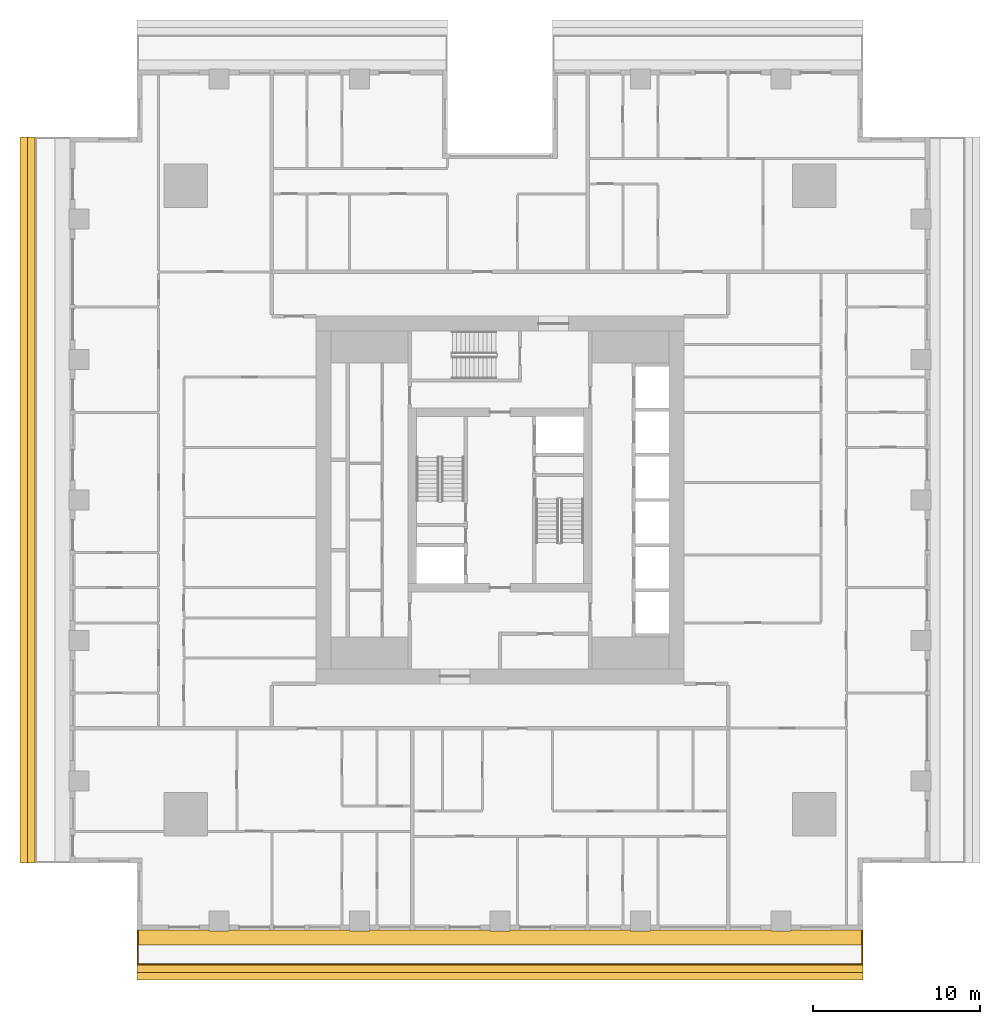
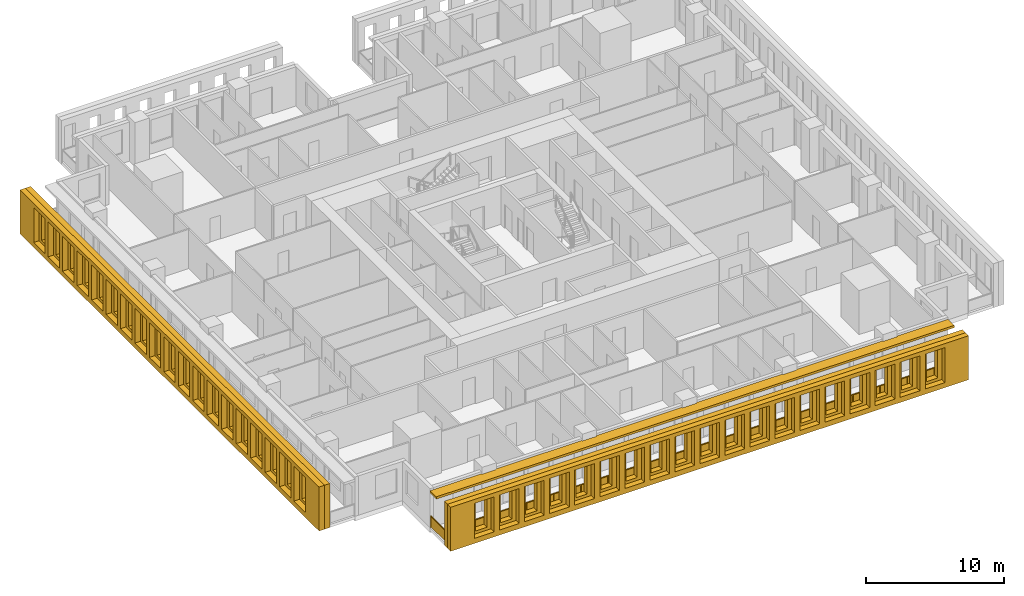
# One storey, part 11 of 16: 5 shading devices, 1 railing.
"""IFC4 building model written with IfcOpenShell, lengths in metres."""

from ifc_helpers import new_model, si_unit, direction, frame, origin, origin_2d, place, context, subcontext, project, spatial, polyline, rectangle, outline, extrude, material, layer, layer_set, type_object, element, save


model = new_model("IFC4")

# Units and contexts
model_context = context("Model", 3, precision=1e-05, world=origin(), true_north=direction((0.0, 1.0)))
body_context = subcontext(model_context, "Body", "Model", "MODEL_VIEW")
ifc_project = project(units=[si_unit("LENGTHUNIT", "METRE"), si_unit("AREAUNIT", "SQUARE_METRE"), si_unit("VOLUMEUNIT", "CUBIC_METRE"), si_unit("PLANEANGLEUNIT", "RADIAN"), si_unit("MASSUNIT", "GRAM", prefix="KILO")], contexts=[model_context])

# Site, building, storey
site_placement = place(None, origin())
site = spatial("IfcSite", under=ifc_project, at=site_placement, CompositionType="ELEMENT")
building_placement = place(site_placement, origin())
building = spatial("IfcBuilding", under=site, at=building_placement, Name="Khepri Terraces", CompositionType="ELEMENT")
storey_placement = place(building_placement, frame((0.0, 0.0, 137.699951171875)))
storey = spatial("IfcBuildingStorey", under=building, at=storey_placement, Name="L32", CompositionType="ELEMENT", Elevation=137.699951171875)

# Railing
ifc_material_1 = material(Name="Stainless steel grade 316", Category="steel")
railing_type = type_object("IfcRailingType", Name="GRD-BAL-1100", PredefinedType="GUARDRAIL", material=ifc_material_1)
railing_placement = place(storey_placement, frame((-21.669921875, -25.719970703125, 0.0)))
element("IfcRailing", 1, at=railing_placement, inside=storey, type_object=railing_type, Name="Balcony guard L32 S", PredefinedType="GUARDRAIL", context=body_context, shape_type="SweptSolid", body=[
    extrude(rectangle(XDim=0.050048828125, YDim=0.06005859375, at=origin_2d()), frame((0.0, 0.0, 1.070068359375), z_axis=(0.0, -1.0, 0.0), x_axis=(1.0, 0.0, 0.0)), (0.0, 0.0, 1.0), 2.050048828125),
    extrude(rectangle(XDim=2.0, YDim=0.011962890625, at=origin_2d()), frame((0.0, -1.02490234375, 0.10009765625), z_axis=(0.0, 0.0, 1.0), x_axis=(0.0, -1.0, 0.0)), (0.0, 0.0, 1.0), 0.93994140625),
    extrude(rectangle(XDim=0.050048828125, YDim=0.06005859375, at=origin_2d()), frame((0.0, -2.050048828125, 1.070068359375), z_axis=(1.0, 0.0, 0.0), x_axis=(0.0, 1.0, 0.0)), (0.0, 0.0, 1.0), 43.33984375),
    extrude(rectangle(XDim=2.23095703125, YDim=0.011962890625, at=origin_2d()), frame((1.140625, -2.050048828125, 0.10009765625), z_axis=(0.0, 0.0, 1.0), x_axis=(1.0, 0.0, 0.0)), (0.0, 0.0, 1.0), 0.93994140625),
    extrude(rectangle(XDim=2.23095703125, YDim=0.011962890625, at=origin_2d()), frame((3.421630859375, -2.050048828125, 0.10009765625), z_axis=(0.0, 0.0, 1.0), x_axis=(1.0, 0.0, 0.0)), (0.0, 0.0, 1.0), 0.93994140625),
    extrude(rectangle(XDim=2.23095703125, YDim=0.011962890625, at=origin_2d()), frame((5.70263671875, -2.050048828125, 0.10009765625), z_axis=(0.0, 0.0, 1.0), x_axis=(1.0, 0.0, 0.0)), (0.0, 0.0, 1.0), 0.93994140625),
    extrude(rectangle(XDim=2.23095703125, YDim=0.011962890625, at=origin_2d()), frame((7.983642578125, -2.050048828125, 0.10009765625), z_axis=(0.0, 0.0, 1.0), x_axis=(1.0, 0.0, 0.0)), (0.0, 0.0, 1.0), 0.93994140625),
    extrude(rectangle(XDim=2.23095703125, YDim=0.011962890625, at=origin_2d()), frame((10.2646484375, -2.050048828125, 0.10009765625), z_axis=(0.0, 0.0, 1.0), x_axis=(1.0, 0.0, 0.0)), (0.0, 0.0, 1.0), 0.93994140625),
    extrude(rectangle(XDim=2.23095703125, YDim=0.011962890625, at=origin_2d()), frame((12.545654296875, -2.050048828125, 0.10009765625), z_axis=(0.0, 0.0, 1.0), x_axis=(1.0, 0.0, 0.0)), (0.0, 0.0, 1.0), 0.93994140625),
    extrude(rectangle(XDim=2.23095703125, YDim=0.011962890625, at=origin_2d()), frame((14.826904296875, -2.050048828125, 0.10009765625), z_axis=(0.0, 0.0, 1.0), x_axis=(1.0, 0.0, 0.0)), (0.0, 0.0, 1.0), 0.93994140625),
    extrude(rectangle(XDim=2.23095703125, YDim=0.011962890625, at=origin_2d()), frame((17.10791015625, -2.050048828125, 0.10009765625), z_axis=(0.0, 0.0, 1.0), x_axis=(1.0, 0.0, 0.0)), (0.0, 0.0, 1.0), 0.93994140625),
    extrude(rectangle(XDim=2.23095703125, YDim=0.011962890625, at=origin_2d()), frame((19.388916015625, -2.050048828125, 0.10009765625), z_axis=(0.0, 0.0, 1.0), x_axis=(1.0, 0.0, 0.0)), (0.0, 0.0, 1.0), 0.93994140625),
    extrude(rectangle(XDim=2.23095703125, YDim=0.011962890625, at=origin_2d()), frame((21.669921875, -2.050048828125, 0.10009765625), z_axis=(0.0, 0.0, 1.0), x_axis=(1.0, 0.0, 0.0)), (0.0, 0.0, 1.0), 0.93994140625),
    extrude(rectangle(XDim=2.23095703125, YDim=0.011962890625, at=origin_2d()), frame((23.950927734375, -2.050048828125, 0.10009765625), z_axis=(0.0, 0.0, 1.0), x_axis=(1.0, 0.0, 0.0)), (0.0, 0.0, 1.0), 0.93994140625),
    extrude(rectangle(XDim=2.23095703125, YDim=0.011962890625, at=origin_2d()), frame((26.23193359375, -2.050048828125, 0.10009765625), z_axis=(0.0, 0.0, 1.0), x_axis=(1.0, 0.0, 0.0)), (0.0, 0.0, 1.0), 0.93994140625),
    extrude(rectangle(XDim=2.23095703125, YDim=0.011962890625, at=origin_2d()), frame((28.512939453125, -2.050048828125, 0.10009765625), z_axis=(0.0, 0.0, 1.0), x_axis=(1.0, 0.0, 0.0)), (0.0, 0.0, 1.0), 0.93994140625),
    extrude(rectangle(XDim=2.23095703125, YDim=0.011962890625, at=origin_2d()), frame((30.794189453125, -2.050048828125, 0.10009765625), z_axis=(0.0, 0.0, 1.0), x_axis=(1.0, 0.0, 0.0)), (0.0, 0.0, 1.0), 0.93994140625),
    extrude(rectangle(XDim=2.23095703125, YDim=0.011962890625, at=origin_2d()), frame((33.0751953125, -2.050048828125, 0.10009765625), z_axis=(0.0, 0.0, 1.0), x_axis=(1.0, 0.0, 0.0)), (0.0, 0.0, 1.0), 0.93994140625),
    extrude(rectangle(XDim=2.23095703125, YDim=0.011962890625, at=origin_2d()), frame((35.356201171875, -2.050048828125, 0.10009765625), z_axis=(0.0, 0.0, 1.0), x_axis=(1.0, 0.0, 0.0)), (0.0, 0.0, 1.0), 0.93994140625),
    extrude(rectangle(XDim=2.23095703125, YDim=0.011962890625, at=origin_2d()), frame((37.63720703125, -2.050048828125, 0.10009765625), z_axis=(0.0, 0.0, 1.0), x_axis=(1.0, 0.0, 0.0)), (0.0, 0.0, 1.0), 0.93994140625),
    extrude(rectangle(XDim=2.23095703125, YDim=0.011962890625, at=origin_2d()), frame((39.918212890625, -2.050048828125, 0.10009765625), z_axis=(0.0, 0.0, 1.0), x_axis=(1.0, 0.0, 0.0)), (0.0, 0.0, 1.0), 0.93994140625),
    extrude(rectangle(XDim=2.23095703125, YDim=0.011962890625, at=origin_2d()), frame((42.19921875, -2.050048828125, 0.10009765625), z_axis=(0.0, 0.0, 1.0), x_axis=(1.0, 0.0, 0.0)), (0.0, 0.0, 1.0), 0.93994140625),
    extrude(rectangle(XDim=0.050048828125, YDim=0.06005859375, at=origin_2d()), frame((43.33984375, -2.050048828125, 1.070068359375), z_axis=(0.0, 1.0, 0.0), x_axis=(-1.0, 0.0, 0.0)), (0.0, 0.0, 1.0), 2.050048828125),
    extrude(rectangle(XDim=2.0, YDim=0.011962890625, at=origin_2d()), frame((43.33984375, -1.02490234375, 0.10009765625), z_axis=(0.0, 0.0, 1.0), x_axis=(0.0, 1.0, 0.0)), (0.0, 0.0, 1.0), 0.93994140625),
    extrude(rectangle(XDim=0.050048828125, YDim=0.050048828125, at=origin_2d()), origin(), (0.0, 0.0, 1.0), 1.0400390625),
    extrude(rectangle(XDim=0.050048828125, YDim=0.050048828125, at=origin_2d()), frame((0.0, -2.050048828125, 0.0)), (0.0, 0.0, 1.0), 1.0400390625),
    extrude(rectangle(XDim=0.050048828125, YDim=0.050048828125, at=origin_2d()), frame((2.281005859375, -2.050048828125, 0.0)), (0.0, 0.0, 1.0), 1.0400390625),
    extrude(rectangle(XDim=0.050048828125, YDim=0.050048828125, at=origin_2d()), frame((4.56201171875, -2.050048828125, 0.0)), (0.0, 0.0, 1.0), 1.0400390625),
    extrude(rectangle(XDim=0.050048828125, YDim=0.050048828125, at=origin_2d()), frame((6.843017578125, -2.050048828125, 0.0)), (0.0, 0.0, 1.0), 1.0400390625),
    extrude(rectangle(XDim=0.050048828125, YDim=0.050048828125, at=origin_2d()), frame((9.124267578125, -2.050048828125, 0.0)), (0.0, 0.0, 1.0), 1.0400390625),
    extrude(rectangle(XDim=0.050048828125, YDim=0.050048828125, at=origin_2d()), frame((11.4052734375, -2.050048828125, 0.0)), (0.0, 0.0, 1.0), 1.0400390625),
    extrude(rectangle(XDim=0.050048828125, YDim=0.050048828125, at=origin_2d()), frame((13.686279296875, -2.050048828125, 0.0)), (0.0, 0.0, 1.0), 1.0400390625),
    extrude(rectangle(XDim=0.050048828125, YDim=0.050048828125, at=origin_2d()), frame((15.96728515625, -2.050048828125, 0.0)), (0.0, 0.0, 1.0), 1.0400390625),
    extrude(rectangle(XDim=0.050048828125, YDim=0.050048828125, at=origin_2d()), frame((18.248291015625, -2.050048828125, 0.0)), (0.0, 0.0, 1.0), 1.0400390625),
    extrude(rectangle(XDim=0.050048828125, YDim=0.050048828125, at=origin_2d()), frame((20.529296875, -2.050048828125, 0.0)), (0.0, 0.0, 1.0), 1.0400390625),
    extrude(rectangle(XDim=0.050048828125, YDim=0.050048828125, at=origin_2d()), frame((22.810546875, -2.050048828125, 0.0)), (0.0, 0.0, 1.0), 1.0400390625),
    extrude(rectangle(XDim=0.050048828125, YDim=0.050048828125, at=origin_2d()), frame((25.091552734375, -2.050048828125, 0.0)), (0.0, 0.0, 1.0), 1.0400390625),
    extrude(rectangle(XDim=0.050048828125, YDim=0.050048828125, at=origin_2d()), frame((27.37255859375, -2.050048828125, 0.0)), (0.0, 0.0, 1.0), 1.0400390625),
    extrude(rectangle(XDim=0.050048828125, YDim=0.050048828125, at=origin_2d()), frame((29.653564453125, -2.050048828125, 0.0)), (0.0, 0.0, 1.0), 1.0400390625),
    extrude(rectangle(XDim=0.050048828125, YDim=0.050048828125, at=origin_2d()), frame((31.9345703125, -2.050048828125, 0.0)), (0.0, 0.0, 1.0), 1.0400390625),
    extrude(rectangle(XDim=0.050048828125, YDim=0.050048828125, at=origin_2d()), frame((34.215576171875, -2.050048828125, 0.0)), (0.0, 0.0, 1.0), 1.0400390625),
    extrude(rectangle(XDim=0.050048828125, YDim=0.050048828125, at=origin_2d()), frame((36.496826171875, -2.050048828125, 0.0)), (0.0, 0.0, 1.0), 1.0400390625),
    extrude(rectangle(XDim=0.050048828125, YDim=0.050048828125, at=origin_2d()), frame((38.77783203125, -2.050048828125, 0.0)), (0.0, 0.0, 1.0), 1.0400390625),
    extrude(rectangle(XDim=0.050048828125, YDim=0.050048828125, at=origin_2d()), frame((41.058837890625, -2.050048828125, 0.0)), (0.0, 0.0, 1.0), 1.0400390625),
    extrude(rectangle(XDim=0.050048828125, YDim=0.050048828125, at=origin_2d()), frame((43.33984375, -2.050048828125, 0.0)), (0.0, 0.0, 1.0), 1.0400390625),
    extrude(rectangle(XDim=0.050048828125, YDim=0.050048828125, at=origin_2d()), frame((43.33984375, 0.0, 0.0)), (0.0, 0.0, 1.0), 1.0400390625),
])

# Shading devices
ifc_material_2 = material(Name="Precast concrete C50/60 warm stone", Category="masonry")
shading_device_type_1 = type_object("IfcShadingDeviceType", Name="SCR-CELL-INNER-450", PredefinedType="USERDEFINED", material=ifc_material_2)
shading_device_1_placement = place(storey_placement, frame((-21.719970703125, -27.820068359375, -0.25), z_axis=(0.0, -1.0, 0.0), x_axis=(1.0, 0.0, 0.0)))
element("IfcShadingDevice", 2, at=shading_device_1_placement, inside=storey, type_object=shading_device_type_1, Name="Cell screen L32 S in", ObjectType="SCREEN", PredefinedType="USERDEFINED", context=body_context, shape_type="SweptSolid", body=[
    extrude(outline(polyline([(0.0, 0.0), (43.43994140625, 0.0), (43.43994140625, 3.89990234375), (0.0, 3.89990234375), (0.0, 0.0)]), holes=[polyline([(0.24755859375, 0.699951171875), (1.1923828125, 0.699951171875), (1.1923828125, 3.300048828125), (0.24755859375, 3.300048828125), (0.24755859375, 0.699951171875)]), polyline([(2.347412109375, 0.699951171875), (3.29248046875, 0.699951171875), (3.29248046875, 3.300048828125), (2.347412109375, 3.300048828125), (2.347412109375, 0.699951171875)]), polyline([(4.447509765625, 0.699951171875), (5.392578125, 0.699951171875), (5.392578125, 3.300048828125), (4.447509765625, 3.300048828125), (4.447509765625, 0.699951171875)]), polyline([(6.547607421875, 0.699951171875), (7.492431640625, 0.699951171875), (7.492431640625, 3.300048828125), (6.547607421875, 3.300048828125), (6.547607421875, 0.699951171875)]), polyline([(8.6474609375, 0.699951171875), (9.592529296875, 0.699951171875), (9.592529296875, 3.300048828125), (8.6474609375, 3.300048828125), (8.6474609375, 0.699951171875)]), polyline([(10.74755859375, 0.699951171875), (11.6923828125, 0.699951171875), (11.6923828125, 3.300048828125), (10.74755859375, 3.300048828125), (10.74755859375, 0.699951171875)]), polyline([(12.847412109375, 0.699951171875), (13.79248046875, 0.699951171875), (13.79248046875, 3.300048828125), (12.847412109375, 3.300048828125), (12.847412109375, 0.699951171875)]), polyline([(14.947509765625, 0.699951171875), (15.892578125, 0.699951171875), (15.892578125, 3.300048828125), (14.947509765625, 3.300048828125), (14.947509765625, 0.699951171875)]), polyline([(17.047607421875, 0.699951171875), (17.992431640625, 0.699951171875), (17.992431640625, 3.300048828125), (17.047607421875, 3.300048828125), (17.047607421875, 0.699951171875)]), polyline([(19.1474609375, 0.699951171875), (20.092529296875, 0.699951171875), (20.092529296875, 3.300048828125), (19.1474609375, 3.300048828125), (19.1474609375, 0.699951171875)]), polyline([(21.24755859375, 0.699951171875), (22.1923828125, 0.699951171875), (22.1923828125, 3.300048828125), (21.24755859375, 3.300048828125), (21.24755859375, 0.699951171875)]), polyline([(23.347412109375, 0.699951171875), (24.29248046875, 0.699951171875), (24.29248046875, 3.300048828125), (23.347412109375, 3.300048828125), (23.347412109375, 0.699951171875)]), polyline([(25.447509765625, 0.699951171875), (26.392578125, 0.699951171875), (26.392578125, 3.300048828125), (25.447509765625, 3.300048828125), (25.447509765625, 0.699951171875)]), polyline([(27.547607421875, 0.699951171875), (28.492431640625, 0.699951171875), (28.492431640625, 3.300048828125), (27.547607421875, 3.300048828125), (27.547607421875, 0.699951171875)]), polyline([(29.6474609375, 0.699951171875), (30.592529296875, 0.699951171875), (30.592529296875, 3.300048828125), (29.6474609375, 3.300048828125), (29.6474609375, 0.699951171875)]), polyline([(31.74755859375, 0.699951171875), (32.6923828125, 0.699951171875), (32.6923828125, 3.300048828125), (31.74755859375, 3.300048828125), (31.74755859375, 0.699951171875)]), polyline([(33.847412109375, 0.699951171875), (34.79248046875, 0.699951171875), (34.79248046875, 3.300048828125), (33.847412109375, 3.300048828125), (33.847412109375, 0.699951171875)]), polyline([(35.947509765625, 0.699951171875), (36.892578125, 0.699951171875), (36.892578125, 3.300048828125), (35.947509765625, 3.300048828125), (35.947509765625, 0.699951171875)]), polyline([(38.047607421875, 0.699951171875), (38.992431640625, 0.699951171875), (38.992431640625, 3.300048828125), (38.047607421875, 3.300048828125), (38.047607421875, 0.699951171875)]), polyline([(40.1474609375, 0.699951171875), (41.092529296875, 0.699951171875), (41.092529296875, 3.300048828125), (40.1474609375, 3.300048828125), (40.1474609375, 0.699951171875)]), polyline([(42.24755859375, 0.699951171875), (43.1923828125, 0.699951171875), (43.1923828125, 3.300048828125), (42.24755859375, 3.300048828125), (42.24755859375, 0.699951171875)])]), origin(), (0.0, 0.0, 1.0), 0.449951171875),
])
shading_device_2_placement = place(storey_placement, frame((-27.820068359375, 21.719970703125, -0.25), z_axis=(-1.0, 0.0, 0.0), x_axis=(0.0, -1.0, 0.0)))
element("IfcShadingDevice", 3, at=shading_device_2_placement, inside=storey, type_object=shading_device_type_1, Name="Cell screen L32 W in", ObjectType="SCREEN", PredefinedType="USERDEFINED", context=body_context, shape_type="SweptSolid", body=[
    extrude(outline(polyline([(0.0, 0.0), (43.43994140625, 0.0), (43.43994140625, 3.89990234375), (0.0, 3.89990234375), (0.0, 0.0)]), holes=[polyline([(0.24755859375, 0.699951171875), (1.1923828125, 0.699951171875), (1.1923828125, 3.300048828125), (0.24755859375, 3.300048828125), (0.24755859375, 0.699951171875)]), polyline([(2.347412109375, 0.699951171875), (3.29248046875, 0.699951171875), (3.29248046875, 3.300048828125), (2.347412109375, 3.300048828125), (2.347412109375, 0.699951171875)]), polyline([(4.447509765625, 0.699951171875), (5.392578125, 0.699951171875), (5.392578125, 3.300048828125), (4.447509765625, 3.300048828125), (4.447509765625, 0.699951171875)]), polyline([(6.547607421875, 0.699951171875), (7.492431640625, 0.699951171875), (7.492431640625, 3.300048828125), (6.547607421875, 3.300048828125), (6.547607421875, 0.699951171875)]), polyline([(8.6474609375, 0.699951171875), (9.592529296875, 0.699951171875), (9.592529296875, 3.300048828125), (8.6474609375, 3.300048828125), (8.6474609375, 0.699951171875)]), polyline([(10.74755859375, 0.699951171875), (11.6923828125, 0.699951171875), (11.6923828125, 3.300048828125), (10.74755859375, 3.300048828125), (10.74755859375, 0.699951171875)]), polyline([(12.847412109375, 0.699951171875), (13.79248046875, 0.699951171875), (13.79248046875, 3.300048828125), (12.847412109375, 3.300048828125), (12.847412109375, 0.699951171875)]), polyline([(14.947509765625, 0.699951171875), (15.892578125, 0.699951171875), (15.892578125, 3.300048828125), (14.947509765625, 3.300048828125), (14.947509765625, 0.699951171875)]), polyline([(17.047607421875, 0.699951171875), (17.992431640625, 0.699951171875), (17.992431640625, 3.300048828125), (17.047607421875, 3.300048828125), (17.047607421875, 0.699951171875)]), polyline([(19.1474609375, 0.699951171875), (20.092529296875, 0.699951171875), (20.092529296875, 3.300048828125), (19.1474609375, 3.300048828125), (19.1474609375, 0.699951171875)]), polyline([(21.24755859375, 0.699951171875), (22.1923828125, 0.699951171875), (22.1923828125, 3.300048828125), (21.24755859375, 3.300048828125), (21.24755859375, 0.699951171875)]), polyline([(23.347412109375, 0.699951171875), (24.29248046875, 0.699951171875), (24.29248046875, 3.300048828125), (23.347412109375, 3.300048828125), (23.347412109375, 0.699951171875)]), polyline([(25.447509765625, 0.699951171875), (26.392578125, 0.699951171875), (26.392578125, 3.300048828125), (25.447509765625, 3.300048828125), (25.447509765625, 0.699951171875)]), polyline([(27.547607421875, 0.699951171875), (28.492431640625, 0.699951171875), (28.492431640625, 3.300048828125), (27.547607421875, 3.300048828125), (27.547607421875, 0.699951171875)]), polyline([(29.6474609375, 0.699951171875), (30.592529296875, 0.699951171875), (30.592529296875, 3.300048828125), (29.6474609375, 3.300048828125), (29.6474609375, 0.699951171875)]), polyline([(31.74755859375, 0.699951171875), (32.6923828125, 0.699951171875), (32.6923828125, 3.300048828125), (31.74755859375, 3.300048828125), (31.74755859375, 0.699951171875)]), polyline([(33.847412109375, 0.699951171875), (34.79248046875, 0.699951171875), (34.79248046875, 3.300048828125), (33.847412109375, 3.300048828125), (33.847412109375, 0.699951171875)]), polyline([(35.947509765625, 0.699951171875), (36.892578125, 0.699951171875), (36.892578125, 3.300048828125), (35.947509765625, 3.300048828125), (35.947509765625, 0.699951171875)]), polyline([(38.047607421875, 0.699951171875), (38.992431640625, 0.699951171875), (38.992431640625, 3.300048828125), (38.047607421875, 3.300048828125), (38.047607421875, 0.699951171875)]), polyline([(40.1474609375, 0.699951171875), (41.092529296875, 0.699951171875), (41.092529296875, 3.300048828125), (40.1474609375, 3.300048828125), (40.1474609375, 0.699951171875)]), polyline([(42.24755859375, 0.699951171875), (43.1923828125, 0.699951171875), (43.1923828125, 3.300048828125), (42.24755859375, 3.300048828125), (42.24755859375, 0.699951171875)])]), origin(), (0.0, 0.0, 1.0), 0.449951171875),
])
shading_device_type_2 = type_object("IfcShadingDeviceType", Name="SCR-CELL-OUTER-450", PredefinedType="USERDEFINED", material=ifc_material_2)
shading_device_3_placement = place(storey_placement, frame((-21.719970703125, -28.27001953125, -0.25), z_axis=(0.0, -1.0, 0.0), x_axis=(1.0, 0.0, 0.0)))
element("IfcShadingDevice", 4, at=shading_device_3_placement, inside=storey, type_object=shading_device_type_2, Name="Cell screen L32 S out", ObjectType="SCREEN", PredefinedType="USERDEFINED", context=body_context, shape_type="SweptSolid", body=[
    extrude(outline(polyline([(0.0, 0.0), (43.43994140625, 0.0), (43.43994140625, 3.89990234375), (0.0, 3.89990234375), (0.0, 0.0)]), holes=[polyline([(1.99755859375, 0.449951171875), (3.642578125, 0.449951171875), (3.642578125, 3.550048828125), (1.99755859375, 3.550048828125), (1.99755859375, 0.449951171875)]), polyline([(4.097412109375, 0.449951171875), (5.742431640625, 0.449951171875), (5.742431640625, 3.550048828125), (4.097412109375, 3.550048828125), (4.097412109375, 0.449951171875)]), polyline([(6.197509765625, 0.449951171875), (7.842529296875, 0.449951171875), (7.842529296875, 3.550048828125), (6.197509765625, 3.550048828125), (6.197509765625, 0.449951171875)]), polyline([(8.297607421875, 0.449951171875), (9.9423828125, 0.449951171875), (9.9423828125, 3.550048828125), (8.297607421875, 3.550048828125), (8.297607421875, 0.449951171875)]), polyline([(10.3974609375, 0.449951171875), (12.04248046875, 0.449951171875), (12.04248046875, 3.550048828125), (10.3974609375, 3.550048828125), (10.3974609375, 0.449951171875)]), polyline([(12.49755859375, 0.449951171875), (14.142578125, 0.449951171875), (14.142578125, 3.550048828125), (12.49755859375, 3.550048828125), (12.49755859375, 0.449951171875)]), polyline([(14.597412109375, 0.449951171875), (16.242431640625, 0.449951171875), (16.242431640625, 3.550048828125), (14.597412109375, 3.550048828125), (14.597412109375, 0.449951171875)]), polyline([(16.697509765625, 0.449951171875), (18.342529296875, 0.449951171875), (18.342529296875, 3.550048828125), (16.697509765625, 3.550048828125), (16.697509765625, 0.449951171875)]), polyline([(18.797607421875, 0.449951171875), (20.4423828125, 0.449951171875), (20.4423828125, 3.550048828125), (18.797607421875, 3.550048828125), (18.797607421875, 0.449951171875)]), polyline([(20.8974609375, 0.449951171875), (22.54248046875, 0.449951171875), (22.54248046875, 3.550048828125), (20.8974609375, 3.550048828125), (20.8974609375, 0.449951171875)]), polyline([(22.99755859375, 0.449951171875), (24.642578125, 0.449951171875), (24.642578125, 3.550048828125), (22.99755859375, 3.550048828125), (22.99755859375, 0.449951171875)]), polyline([(25.097412109375, 0.449951171875), (26.742431640625, 0.449951171875), (26.742431640625, 3.550048828125), (25.097412109375, 3.550048828125), (25.097412109375, 0.449951171875)]), polyline([(27.197509765625, 0.449951171875), (28.842529296875, 0.449951171875), (28.842529296875, 3.550048828125), (27.197509765625, 3.550048828125), (27.197509765625, 0.449951171875)]), polyline([(29.297607421875, 0.449951171875), (30.9423828125, 0.449951171875), (30.9423828125, 3.550048828125), (29.297607421875, 3.550048828125), (29.297607421875, 0.449951171875)]), polyline([(31.3974609375, 0.449951171875), (33.04248046875, 0.449951171875), (33.04248046875, 3.550048828125), (31.3974609375, 3.550048828125), (31.3974609375, 0.449951171875)]), polyline([(33.49755859375, 0.449951171875), (35.142578125, 0.449951171875), (35.142578125, 3.550048828125), (33.49755859375, 3.550048828125), (33.49755859375, 0.449951171875)]), polyline([(35.597412109375, 0.449951171875), (37.242431640625, 0.449951171875), (37.242431640625, 3.550048828125), (35.597412109375, 3.550048828125), (35.597412109375, 0.449951171875)]), polyline([(37.697509765625, 0.449951171875), (39.342529296875, 0.449951171875), (39.342529296875, 3.550048828125), (37.697509765625, 3.550048828125), (37.697509765625, 0.449951171875)]), polyline([(39.797607421875, 0.449951171875), (41.4423828125, 0.449951171875), (41.4423828125, 3.550048828125), (39.797607421875, 3.550048828125), (39.797607421875, 0.449951171875)])]), origin(), (0.0, 0.0, 1.0), 0.449951171875),
])
shading_device_4_placement = place(storey_placement, frame((-28.27001953125, 21.719970703125, -0.25), z_axis=(-1.0, 0.0, 0.0), x_axis=(0.0, -1.0, 0.0)))
element("IfcShadingDevice", 5, at=shading_device_4_placement, inside=storey, type_object=shading_device_type_2, Name="Cell screen L32 W out", ObjectType="SCREEN", PredefinedType="USERDEFINED", context=body_context, shape_type="SweptSolid", body=[
    extrude(outline(polyline([(0.0, 0.0), (43.43994140625, 0.0), (43.43994140625, 3.89990234375), (0.0, 3.89990234375), (0.0, 0.0)]), holes=[polyline([(1.99755859375, 0.449951171875), (3.642578125, 0.449951171875), (3.642578125, 3.550048828125), (1.99755859375, 3.550048828125), (1.99755859375, 0.449951171875)]), polyline([(4.097412109375, 0.449951171875), (5.742431640625, 0.449951171875), (5.742431640625, 3.550048828125), (4.097412109375, 3.550048828125), (4.097412109375, 0.449951171875)]), polyline([(6.197509765625, 0.449951171875), (7.842529296875, 0.449951171875), (7.842529296875, 3.550048828125), (6.197509765625, 3.550048828125), (6.197509765625, 0.449951171875)]), polyline([(8.297607421875, 0.449951171875), (9.9423828125, 0.449951171875), (9.9423828125, 3.550048828125), (8.297607421875, 3.550048828125), (8.297607421875, 0.449951171875)]), polyline([(10.3974609375, 0.449951171875), (12.04248046875, 0.449951171875), (12.04248046875, 3.550048828125), (10.3974609375, 3.550048828125), (10.3974609375, 0.449951171875)]), polyline([(12.49755859375, 0.449951171875), (14.142578125, 0.449951171875), (14.142578125, 3.550048828125), (12.49755859375, 3.550048828125), (12.49755859375, 0.449951171875)]), polyline([(14.597412109375, 0.449951171875), (16.242431640625, 0.449951171875), (16.242431640625, 3.550048828125), (14.597412109375, 3.550048828125), (14.597412109375, 0.449951171875)]), polyline([(16.697509765625, 0.449951171875), (18.342529296875, 0.449951171875), (18.342529296875, 3.550048828125), (16.697509765625, 3.550048828125), (16.697509765625, 0.449951171875)]), polyline([(18.797607421875, 0.449951171875), (20.4423828125, 0.449951171875), (20.4423828125, 3.550048828125), (18.797607421875, 3.550048828125), (18.797607421875, 0.449951171875)]), polyline([(20.8974609375, 0.449951171875), (22.54248046875, 0.449951171875), (22.54248046875, 3.550048828125), (20.8974609375, 3.550048828125), (20.8974609375, 0.449951171875)]), polyline([(22.99755859375, 0.449951171875), (24.642578125, 0.449951171875), (24.642578125, 3.550048828125), (22.99755859375, 3.550048828125), (22.99755859375, 0.449951171875)]), polyline([(25.097412109375, 0.449951171875), (26.742431640625, 0.449951171875), (26.742431640625, 3.550048828125), (25.097412109375, 3.550048828125), (25.097412109375, 0.449951171875)]), polyline([(27.197509765625, 0.449951171875), (28.842529296875, 0.449951171875), (28.842529296875, 3.550048828125), (27.197509765625, 3.550048828125), (27.197509765625, 0.449951171875)]), polyline([(29.297607421875, 0.449951171875), (30.9423828125, 0.449951171875), (30.9423828125, 3.550048828125), (29.297607421875, 3.550048828125), (29.297607421875, 0.449951171875)]), polyline([(31.3974609375, 0.449951171875), (33.04248046875, 0.449951171875), (33.04248046875, 3.550048828125), (31.3974609375, 3.550048828125), (31.3974609375, 0.449951171875)]), polyline([(33.49755859375, 0.449951171875), (35.142578125, 0.449951171875), (35.142578125, 3.550048828125), (33.49755859375, 3.550048828125), (33.49755859375, 0.449951171875)]), polyline([(35.597412109375, 0.449951171875), (37.242431640625, 0.449951171875), (37.242431640625, 3.550048828125), (35.597412109375, 3.550048828125), (35.597412109375, 0.449951171875)]), polyline([(37.697509765625, 0.449951171875), (39.342529296875, 0.449951171875), (39.342529296875, 3.550048828125), (37.697509765625, 3.550048828125), (37.697509765625, 0.449951171875)]), polyline([(39.797607421875, 0.449951171875), (41.4423828125, 0.449951171875), (41.4423828125, 3.550048828125), (39.797607421875, 3.550048828125), (39.797607421875, 0.449951171875)])]), origin(), (0.0, 0.0, 1.0), 0.449951171875),
])
ifc_layer = layer(ifc_material_2, 0.199951171875, Name="Precast concrete C50/60 warm stone", Category="masonry")
ifc_layer_set = layer_set([ifc_layer], Name="Precast concrete C50/60 warm stone")
shading_device_type_3 = type_object("IfcShadingDeviceType", Name="SSH-BAND-STONE-200", PredefinedType="USERDEFINED", material=ifc_layer_set)
shading_device_5_placement = place(storey_placement, frame((0.0, 0.0, 3.10009765625)))
element("IfcShadingDevice", 6, at=shading_device_5_placement, inside=storey, type_object=shading_device_type_3, Name="Sunshade band L32 S", ObjectType="SUNSHADE", PredefinedType="USERDEFINED", context=body_context, shape_type="SweptSolid", body=[
    extrude(outline(polyline([(-17.39990234375, -25.719970703125), (-21.719970703125, -25.719970703125), (-21.719970703125, -26.6201171875), (21.719970703125, -26.6201171875), (21.719970703125, -25.719970703125), (17.39990234375, -25.719970703125), (17.39990234375, -25.800048828125), (16.199951171875, -25.800048828125), (16.199951171875, -25.719970703125), (9.0, -25.719970703125), (9.0, -25.800048828125), (7.800048828125, -25.800048828125), (7.800048828125, -25.719970703125), (0.60009765625, -25.719970703125), (0.60009765625, -25.800048828125), (-0.60009765625, -25.800048828125), (-0.60009765625, -25.719970703125), (-7.800048828125, -25.719970703125), (-7.800048828125, -25.800048828125), (-9.0, -25.800048828125), (-9.0, -25.719970703125), (-16.199951171875, -25.719970703125), (-16.199951171875, -25.800048828125), (-17.39990234375, -25.800048828125), (-17.39990234375, -25.719970703125)])), origin(), (0.0, 0.0, 1.0), 0.199951171875),
])

save(model, "model.ifc")
